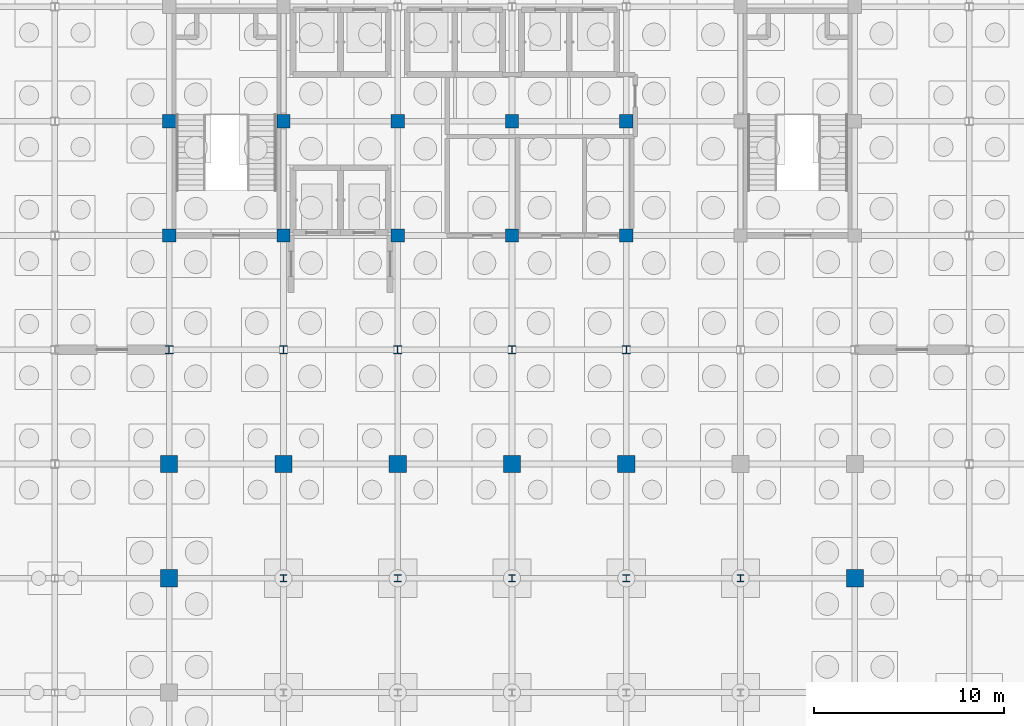
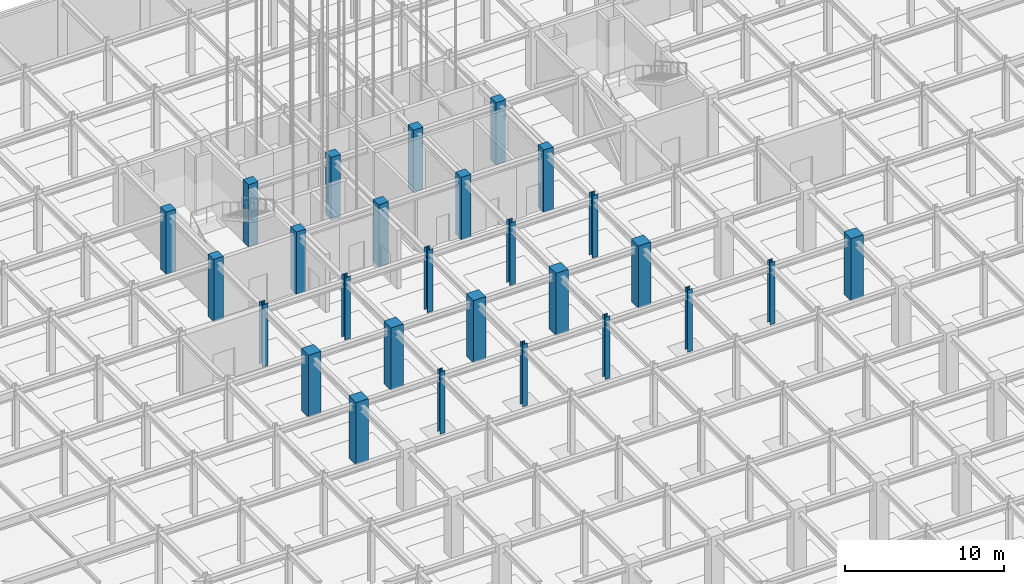
# One storey, part 25 of 69: 27 columns.
"""IFC4 building model written with IfcOpenShell, lengths in metres."""

from ifc_helpers import new_model, si_unit, direction, frame, origin, origin_2d, place, context, subcontext, project, spatial, rectangle, i_section, extrude, material, material_profile, profile_set, type_object, element, save


model = new_model("IFC4")

# Units and contexts
model_context = context("Model", 3, precision=1e-05, world=origin(), true_north=direction((0.0, 1.0)))
body_context = subcontext(model_context, "Body", "Model", "MODEL_VIEW")
ifc_project = project(units=[si_unit("LENGTHUNIT", "METRE"), si_unit("AREAUNIT", "SQUARE_METRE"), si_unit("VOLUMEUNIT", "CUBIC_METRE"), si_unit("PLANEANGLEUNIT", "RADIAN"), si_unit("MASSUNIT", "GRAM", prefix="KILO")], contexts=[model_context])

# Site, building, storey
site_placement = place(None, origin())
site = spatial("IfcSite", under=ifc_project, at=site_placement, CompositionType="ELEMENT")
building_placement = place(site_placement, origin())
building = spatial("IfcBuilding", under=site, at=building_placement, Name="Zlatovratsky Civic Hall", CompositionType="ELEMENT")
storey_placement = place(building_placement, frame((0.0, 0.0, -4.800048828125)))
storey = spatial("IfcBuildingStorey", under=building, at=storey_placement, Name="B1", CompositionType="ELEMENT", Elevation=-4.800048828125)

# Columns
ifc_material_1 = material(Name="Concrete C35/45 (B40)", Category="concrete")
ifc_material_profile_1 = material_profile(ifc_material_1, rectangle(XDim=0.89990234375, YDim=0.89990234375, at=origin_2d()), Name="RC 900x900")
ifc_profile_set_1 = profile_set([ifc_material_profile_1], Name="Concrete C35/45 (B40)")
column_type_1 = type_object("IfcColumnType", Name="Col_ChamberPier_RC900", PredefinedType="COLUMN", material=ifc_profile_set_1)
for number, where, z_axis, x_axis, name in (
    (1, (66.0, 66.0, 0.0), (0.0, 0.0, 1.0), (1.0, 0.0, 0.0), "CL-0218"),
    (2, (102.0, 66.0, 0.0), (0.0, 0.0, 1.0), (1.0, 0.0, 0.0), "CL-0224"),
    (3, (66.0, 72.0, 0.0), (0.0, 0.0, 1.0), (1.0, 0.0, 0.0), "CL-0241"),
    (4, (72.0, 72.0, 0.0), (0.0, 0.0, 1.0), (1.0, 0.0, 0.0), "CL-0242"),
    (5, (78.0, 72.0, 0.0), (0.0, 0.0, 1.0), (1.0, 0.0, 0.0), "CL-0243"),
    (6, (84.0, 72.0, 0.0), (0.0, 0.0, 1.0), (1.0, 0.0, 0.0), "CL-0244"),
    (7, (90.0, 72.0, 0.0), (0.0, 0.0, 1.0), (1.0, 0.0, 0.0), "CL-0245"),
):
    element("IfcColumn", number, at=place(storey_placement, frame(where, z_axis=z_axis, x_axis=x_axis)), inside=storey, type_object=column_type_1, Name=name, PredefinedType="COLUMN", context=body_context, shape_type="SweptSolid", body=[
        extrude(rectangle(XDim=0.89990234375, YDim=0.89990234375, at=origin_2d()), origin(), (0.0, 0.0, 1.0), 4.800048828125),
    ])
ifc_material_profile_2 = material_profile(ifc_material_1, rectangle(XDim=0.699951171875, YDim=0.699951171875, at=origin_2d()), Name="RC 700x700")
ifc_profile_set_2 = profile_set([ifc_material_profile_2], Name="Concrete C35/45 (B40)")
column_type_2 = type_object("IfcColumnType", Name="Col_CorePier_RC700", PredefinedType="COLUMN", material=ifc_profile_set_2)
for number, where, z_axis, x_axis, name in (
    (8, (66.0, 84.0, 0.0), (0.0, 0.0, 1.0), (1.0, 0.0, 0.0), "CL-0287"),
    (9, (72.0, 84.0, 0.0), (0.0, 0.0, 1.0), (1.0, 0.0, 0.0), "CL-0288"),
    (10, (78.0, 84.0, 0.0), (0.0, 0.0, 1.0), (1.0, 0.0, 0.0), "CL-0289"),
    (11, (84.0, 84.0, 0.0), (0.0, 0.0, 1.0), (1.0, 0.0, 0.0), "CL-0290"),
    (12, (90.0, 84.0, 0.0), (0.0, 0.0, 1.0), (1.0, 0.0, 0.0), "CL-0291"),
    (13, (66.0, 90.0, 0.0), (0.0, 0.0, 1.0), (1.0, 0.0, 0.0), "CL-0310"),
    (14, (72.0, 90.0, 0.0), (0.0, 0.0, 1.0), (1.0, 0.0, 0.0), "CL-0311"),
    (15, (78.0, 90.0, 0.0), (0.0, 0.0, 1.0), (1.0, 0.0, 0.0), "CL-0312"),
    (16, (84.0, 90.0, 0.0), (0.0, 0.0, 1.0), (1.0, 0.0, 0.0), "CL-0313"),
    (17, (90.0, 90.0, 0.0), (0.0, 0.0, 1.0), (1.0, 0.0, 0.0), "CL-0314"),
):
    element("IfcColumn", number, at=place(storey_placement, frame(where, z_axis=z_axis, x_axis=x_axis)), inside=storey, type_object=column_type_2, Name=name, PredefinedType="COLUMN", context=body_context, shape_type="SweptSolid", body=[
        extrude(rectangle(XDim=0.699951171875, YDim=0.699951171875, at=origin_2d()), origin(), (0.0, 0.0, 1.0), 4.800048828125),
    ])
ifc_material_2 = material(Name="Steel S355", Category="steel")
ifc_material_profile_3 = material_profile(ifc_material_2, i_section(OverallWidth=0.35009765625, OverallDepth=0.35009765625, WebThickness=0.011962890625, FlangeThickness=0.01904296875, FilletRadius=0.02001953125, at=origin_2d()), Name="35K2")
ifc_profile_set_3 = profile_set([ifc_material_profile_3], Name="Steel S355")
column_type_3 = type_object("IfcColumnType", Name="Col_Steel_35K2", PredefinedType="COLUMN", material=ifc_profile_set_3)
for number, where, z_axis, x_axis, name in (
    (18, (72.0, 66.0, 0.0), (0.0, 0.0, 1.0), (1.0, 0.0, 0.0), "CL-0219"),
    (19, (78.0, 66.0, 0.0), (0.0, 0.0, 1.0), (1.0, 0.0, 0.0), "CL-0220"),
    (20, (84.0, 66.0, 0.0), (0.0, 0.0, 1.0), (1.0, 0.0, 0.0), "CL-0221"),
    (21, (90.0, 66.0, 0.0), (0.0, 0.0, 1.0), (1.0, 0.0, 0.0), "CL-0222"),
    (22, (96.0, 66.0, 0.0), (0.0, 0.0, 1.0), (1.0, 0.0, 0.0), "CL-0223"),
):
    element("IfcColumn", number, at=place(storey_placement, frame(where, z_axis=z_axis, x_axis=x_axis)), inside=storey, type_object=column_type_3, Name=name, PredefinedType="COLUMN", context=body_context, shape_type="SweptSolid", body=[
        extrude(i_section(OverallWidth=0.35009765625, OverallDepth=0.35009765625, WebThickness=0.011962890625, FlangeThickness=0.01904296875, FilletRadius=0.02001953125, at=origin_2d()), origin(), (0.0, 0.0, 1.0), 4.800048828125),
    ])
ifc_material_profile_4 = material_profile(ifc_material_2, i_section(OverallWidth=0.408935546875, OverallDepth=0.428955078125, WebThickness=0.02392578125, FlangeThickness=0.035400390625, FilletRadius=0.02197265625, at=origin_2d()), Name="40K5")
ifc_profile_set_4 = profile_set([ifc_material_profile_4], Name="Steel S355")
column_type_4 = type_object("IfcColumnType", Name="Col_Steel_40K5", PredefinedType="COLUMN", material=ifc_profile_set_4)
for number, where, z_axis, x_axis, name in (
    (23, (66.0, 78.0, 0.0), (0.0, 0.0, 1.0), (1.0, 0.0, 0.0), "CL-0264"),
    (24, (72.0, 78.0, 0.0), (0.0, 0.0, 1.0), (1.0, 0.0, 0.0), "CL-0265"),
    (25, (78.0, 78.0, 0.0), (0.0, 0.0, 1.0), (1.0, 0.0, 0.0), "CL-0266"),
    (26, (84.0, 78.0, 0.0), (0.0, 0.0, 1.0), (1.0, 0.0, 0.0), "CL-0267"),
    (27, (90.0, 78.0, 0.0), (0.0, 0.0, 1.0), (1.0, 0.0, 0.0), "CL-0268"),
):
    element("IfcColumn", number, at=place(storey_placement, frame(where, z_axis=z_axis, x_axis=x_axis)), inside=storey, type_object=column_type_4, Name=name, PredefinedType="COLUMN", context=body_context, shape_type="SweptSolid", body=[
        extrude(i_section(OverallWidth=0.408935546875, OverallDepth=0.428955078125, WebThickness=0.02392578125, FlangeThickness=0.035400390625, FilletRadius=0.02197265625, at=origin_2d()), origin(), (0.0, 0.0, 1.0), 4.800048828125),
    ])

save(model, "model.ifc")
